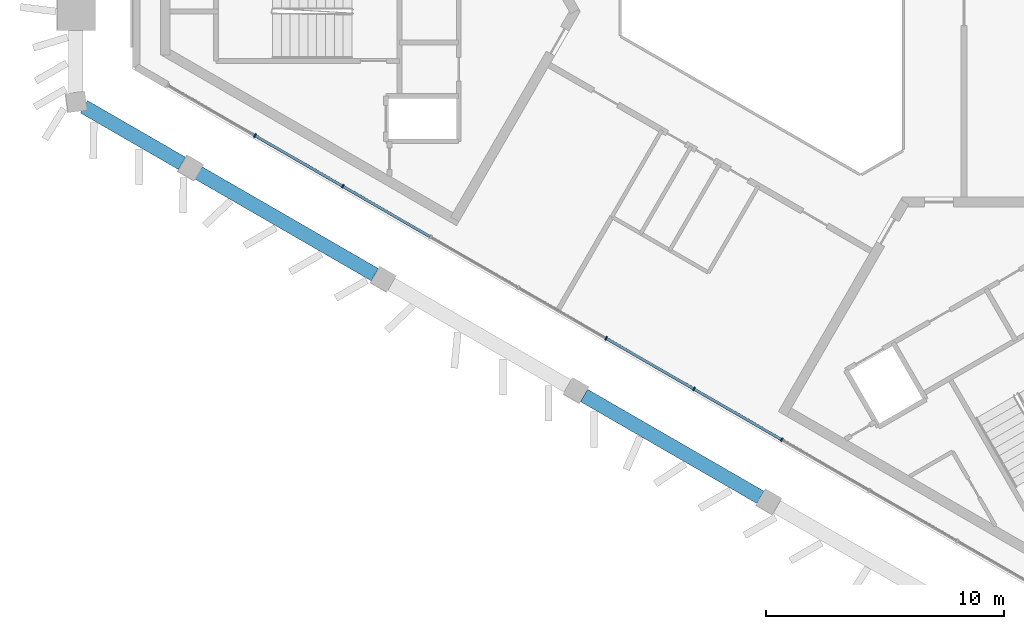
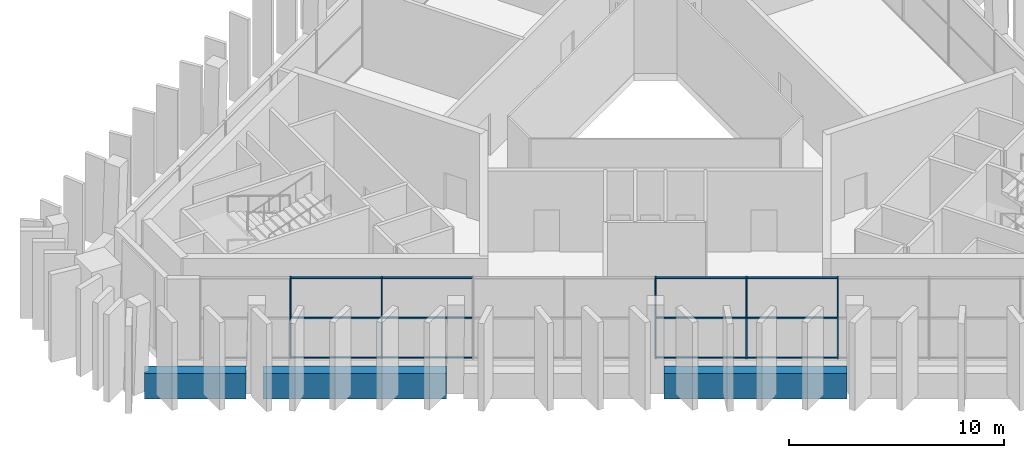
# One storey, part 2 of 13: 17 members, 3 beams, 1 element without a shape of its own.
"""IFC4 building model written with IfcOpenShell, lengths in metres."""

import ifcopenshell
import ifcopenshell.guid

model = None  # the IFC model being written
_history = None  # IfcOwnerHistory: only IFC2X3 demands one
_inside = {}  # id of a spatial element -> (the spatial element, [elements in it])
_under = {}  # id of a project, library or spatial element -> (it, [spatial elements below it])
_declared = {}  # id of a project -> (the project, [libraries it declares])
_typed = {}  # id of a type object -> (the type object, [elements of that type])
_made_of = {}  # id of a material, layer set ... -> (it, [elements and type objects made of it])


def new_model(schema):
    """Start an empty IFC model of exactly this schema.

    Asked for "IFC4X3", IfcOpenShell would pick the latest addendum, in which some entities
    have other attributes; the version numbers below select the first issue.
    IFC2X3 requires an IfcOwnerHistory on every rooted entity: one is made here for all.
    """
    global model, _history
    if schema == "IFC4X3":
        model = ifcopenshell.file(schema_version=(4, 3, 0, 0))
    else:
        model = ifcopenshell.file(schema=schema)
    _inside.clear()
    _under.clear()
    _declared.clear()
    _typed.clear()
    _made_of.clear()
    _history = None
    if model.schema == "IFC2X3":
        org = make("IfcOrganization", Name="unknown")
        user = make(
            "IfcPersonAndOrganization",
            ThePerson=make("IfcPerson", FamilyName="unknown"),
            TheOrganization=org,
        )
        app = make(
            "IfcApplication",
            ApplicationDeveloper=org,
            Version="unknown",
            ApplicationFullName="unknown",
            ApplicationIdentifier="unknown",
        )
        _history = make(
            "IfcOwnerHistory",
            OwningUser=user,
            OwningApplication=app,
            ChangeAction="ADDED",
            CreationDate=0,
        )
    return model


def make(cls, **values):
    """One entity of the class cls with the attributes given. An attribute that is None is left unset."""
    return model.create_entity(
        cls, **{name: value for name, value in values.items() if value is not None}
    )


def rooted(cls, **values):
    """An entity with a GlobalId (a new one), such as an element, a storey or a relation."""
    return make(cls, GlobalId=ifcopenshell.guid.new(), OwnerHistory=_history, **values)


def si_unit(unit_type, name, prefix=None):
    """IfcSIUnit, for example si_unit("LENGTHUNIT", "METRE", prefix="MILLI")."""
    return make("IfcSIUnit", UnitType=unit_type, Prefix=prefix, Name=name)


def assignment(units):
    """IfcUnitAssignment: the units of a project."""
    return None if units is None else make("IfcUnitAssignment", Units=units)


def point(xyz):
    """IfcCartesianPoint."""
    return None if xyz is None else make("IfcCartesianPoint", Coordinates=xyz)


def direction(xyz):
    """IfcDirection."""
    return None if xyz is None else make("IfcDirection", DirectionRatios=xyz)


def frame(location, z_axis=None, x_axis=None):
    """IfcAxis2Placement3D, a coordinate frame: its origin and axes. An axis left out is left unset."""
    return make(
        "IfcAxis2Placement3D",
        Location=point(location),
        Axis=direction(z_axis),
        RefDirection=direction(x_axis),
    )


def frame_2d(location, x_axis=None):
    """IfcAxis2Placement2D, a coordinate frame in the plane: its origin and x axis."""
    return make(
        "IfcAxis2Placement2D", Location=point(location), RefDirection=direction(x_axis)
    )


def origin():
    """The frame at (0, 0, 0) with its axes left unset."""
    return frame((0.0, 0.0, 0.0))


def origin_2d():
    """The frame at (0, 0) in the plane with its x axis left unset."""
    return frame_2d((0.0, 0.0))


def place(relative_to, where):
    """IfcLocalPlacement: puts the frame where relative to a parent placement (None: the world)."""
    return make(
        "IfcLocalPlacement", PlacementRelTo=relative_to, RelativePlacement=where
    )


def context(
    kind, dimensions, precision=None, world=None, true_north=None, identifier=None
):
    """IfcGeometricRepresentationContext, for example the 3D "Model" context."""
    return make(
        "IfcGeometricRepresentationContext",
        ContextIdentifier=identifier,
        ContextType=kind,
        CoordinateSpaceDimension=dimensions,
        Precision=precision,
        WorldCoordinateSystem=world,
        TrueNorth=true_north,
    )


def subcontext(parent, identifier, kind, view, scale=None):
    """IfcGeometricRepresentationSubContext, for example "Body" below "Model"."""
    return make(
        "IfcGeometricRepresentationSubContext",
        ContextIdentifier=identifier,
        ContextType=kind,
        ParentContext=parent,
        TargetScale=scale,
        TargetView=view,
    )


def project(units=None, contexts=None):
    """IfcProject with its units and contexts."""
    return rooted(
        "IfcProject",
        Name="project",
        RepresentationContexts=contexts,
        UnitsInContext=assignment(units),
    )


def spatial(cls, under=None, at=None, **own):
    """A site, building, storey or space (cls), placed at a placement, below another one or the project."""
    s = rooted(cls, ObjectPlacement=at, **own)
    if under is not None:
        _under.setdefault(under.id(), (under, []))[1].append(s)
    return s


def profile(cls, at=None, kind="AREA", **sizes):
    """A parametric profile (cls). Its sizes go by their IFC names, for example OverallWidth=200.0."""
    return make(cls, ProfileType=kind, Position=at, **sizes)


def rectangle(**sizes):
    """IfcRectangleProfileDef."""
    return profile("IfcRectangleProfileDef", **sizes)


def extrude(swept, where, along, depth):
    """IfcExtrudedAreaSolid: the profile swept, set in the frame where, extruded along a direction by depth."""
    return make(
        "IfcExtrudedAreaSolid",
        SweptArea=swept,
        Position=where,
        ExtrudedDirection=direction(along),
        Depth=depth,
    )


def shape(context_of_items, identifier, shape_type, items):
    """IfcShapeRepresentation: the items that make up one representation, for example the "Body"."""
    return make(
        "IfcShapeRepresentation",
        ContextOfItems=context_of_items,
        RepresentationIdentifier=identifier,
        RepresentationType=shape_type,
        Items=items,
    )


def material(Name=None, Category=None):
    """IfcMaterial."""
    return make("IfcMaterial", Name=Name, Category=Category)


def layer(
    of_material, thickness, ventilated=None, Name=None, Category=None, Priority=None
):
    """IfcMaterialLayer: one layer of a wall or slab, of a material (None: an air gap)."""
    return make(
        "IfcMaterialLayer",
        Material=of_material,
        LayerThickness=thickness,
        IsVentilated=ventilated,
        Name=Name,
        Category=Category,
        Priority=Priority,
    )


def layer_set(layers, Name=None):
    """IfcMaterialLayerSet."""
    return make("IfcMaterialLayerSet", MaterialLayers=layers, LayerSetName=Name)


def material_profile(
    of_material, cross_section, Name=None, Category=None, Priority=None
):
    """IfcMaterialProfile: a cross section and its material."""
    return make(
        "IfcMaterialProfile",
        Name=Name,
        Material=of_material,
        Profile=cross_section,
        Priority=Priority,
        Category=Category,
    )


def profile_set(profiles, Name=None, composite=None):
    """IfcMaterialProfileSet."""
    return make(
        "IfcMaterialProfileSet",
        Name=Name,
        MaterialProfiles=profiles,
        CompositeProfile=composite,
    )


def made_of(thing, what):
    """Note that an element or type object is made of a material, layer set ...; save() writes the relation."""
    if what is not None:
        _made_of.setdefault(what.id(), (what, []))[1].append(thing)
    return thing


def type_object(cls, material=None, **own):
    """A type object (cls), such as IfcWallType, which elements share."""
    return made_of(rooted(cls, **own), material)


def element(
    cls,
    number,
    at=None,
    inside=None,
    cuts=None,
    type_object=None,
    material=None,
    context=None,
    identifier="Body",
    shape_type=None,
    held_by="IfcProductDefinitionShape",
    body=None,
    shapes=None,
    **own,
):
    """One element of the class cls, such as IfcWall. Its Tag is "e" and its number.

    at: its placement. inside: the storey or other place that contains it. cuts: it is an
    opening in that element (IfcRelVoidsElement). A single representation is given by context,
    identifier, shape_type and body (its items); several are given by shapes. held_by: the class
    of the entity that holds the representations. save() writes the other relations.
    """
    e = rooted(cls, Tag="e%d" % number, ObjectPlacement=at, **own)
    if body is not None:
        shapes = [shape(context, identifier, shape_type, body)]
    if shapes is not None:
        e.Representation = make(held_by, Representations=shapes)
    if inside is not None:
        _inside.setdefault(inside.id(), (inside, []))[1].append(e)
    if cuts is not None:
        rooted(
            "IfcRelVoidsElement", RelatingBuildingElement=cuts, RelatedOpeningElement=e
        )
    if type_object is not None:
        _typed.setdefault(type_object.id(), (type_object, []))[1].append(e)
    return made_of(e, material)


def aggregate(whole, parts):
    """IfcRelAggregates: a whole, such as a stair, and the parts it consists of."""
    return rooted("IfcRelAggregates", RelatingObject=whole, RelatedObjects=parts)


def save(model, path):
    """Write the relations noted so far, then the file.

    IfcRelAggregates (storeys below a building ...), IfcRelContainedInSpatialStructure (elements
    in a storey), IfcRelDefinesByType, IfcRelAssociatesMaterial and IfcRelDeclares: one each for
    every whole, place, type object, material and project.
    """
    for whole, parts in _under.values():
        aggregate(whole, parts)
    for where, things in _inside.values():
        rooted(
            "IfcRelContainedInSpatialStructure",
            RelatedElements=things,
            RelatingStructure=where,
        )
    for kind, things in _typed.values():
        rooted("IfcRelDefinesByType", RelatedObjects=things, RelatingType=kind)
    for what, things in _made_of.values():
        rooted("IfcRelAssociatesMaterial", RelatedObjects=things, RelatingMaterial=what)
    for by, libraries in _declared.values():
        rooted("IfcRelDeclares", RelatingContext=by, RelatedDefinitions=libraries)
    model.write(path)


model = new_model("IFC4")

# Units and contexts
model_context = context("Model", 3, precision=1e-05, world=origin(), true_north=direction((0.0, 1.0)))
body_context = subcontext(model_context, "Body", "Model", "MODEL_VIEW")
ifc_project = project(units=[si_unit("LENGTHUNIT", "METRE"), si_unit("AREAUNIT", "SQUARE_METRE"), si_unit("VOLUMEUNIT", "CUBIC_METRE"), si_unit("PLANEANGLEUNIT", "RADIAN"), si_unit("MASSUNIT", "GRAM", prefix="KILO")], contexts=[model_context])

# Site, building, storey
site_placement = place(None, origin())
site = spatial("IfcSite", under=ifc_project, at=site_placement, CompositionType="ELEMENT")
building_placement = place(site_placement, origin())
building = spatial("IfcBuilding", under=site, at=building_placement, Name="Jabali Bay Hotel Tower and Convention Centre", CompositionType="ELEMENT")
storey_placement = place(building_placement, frame((0.0, 0.0, 310.800048828125)))
storey = spatial("IfcBuildingStorey", under=building, at=storey_placement, Name="L76", CompositionType="ELEMENT", Elevation=310.800048828125)

# Curtain wall, members
ifc_material_1 = material(Name="Aluminium and glass", Category="aluminium")
ifc_layer = layer(ifc_material_1, 0.159912109375)
ifc_layer_set = layer_set([ifc_layer], Name="Aluminium and glass")
curtain_wall_type = type_object("IfcCurtainWallType", Name="CW3 curtain wall", PredefinedType="NOTDEFINED", material=ifc_layer_set)
curtain_wall_placement = place(storey_placement, origin())
curtain_wall = element("IfcCurtainWall", 1, at=curtain_wall_placement, inside=storey, type_object=curtain_wall_type, Name="CW3 curtain wall south-west face L76", PredefinedType="NOTDEFINED")
ifc_material_2 = material(Name="Aluminium", Category="aluminium")
ifc_material_profile_1 = material_profile(ifc_material_2, rectangle(XDim=0.159912109375, YDim=0.06005859375, at=origin_2d()), Name="CW3 mullion 60 x 160")
ifc_profile_set_1 = profile_set([ifc_material_profile_1], Name="Aluminium")
member_type_1 = type_object("IfcMemberType", Name="CW3 mullion 60 x 160", PredefinedType="MULLION", material=ifc_profile_set_1)
member_1_placement = place(storey_placement, frame((74.450439453125, 62.037353515625, 0.0), z_axis=(0.0, 0.0, 1.0), x_axis=(-0.5, -0.866025403784, 0.0)))
member_1 = element("IfcMember", 2, at=member_1_placement, type_object=member_type_1, Name="CW3 mullion 4", PredefinedType="MULLION", context=body_context, shape_type="SweptSolid", body=[
    extrude(rectangle(XDim=0.159912109375, YDim=0.06005859375, at=origin_2d()), origin(), (0.0, 0.0, 1.0), 4.599853515625),
])
member_2_placement = place(storey_placement, frame((70.767578125, 64.16357421875, 0.0), z_axis=(0.0, 0.0, 1.0), x_axis=(-0.5, -0.866025403784, 0.0)))
member_2 = element("IfcMember", 3, at=member_2_placement, type_object=member_type_1, Name="CW3 mullion 5", PredefinedType="MULLION", context=body_context, shape_type="SweptSolid", body=[
    extrude(rectangle(XDim=0.159912109375, YDim=0.06005859375, at=origin_2d()), origin(), (0.0, 0.0, 1.0), 4.599853515625),
])
member_3_placement = place(storey_placement, frame((67.08447265625, 66.2900390625, 0.0), z_axis=(0.0, 0.0, 1.0), x_axis=(-0.5, -0.866025403784, 0.0)))
member_3 = element("IfcMember", 4, at=member_3_placement, type_object=member_type_1, Name="CW3 mullion 6", PredefinedType="MULLION", context=body_context, shape_type="SweptSolid", body=[
    extrude(rectangle(XDim=0.159912109375, YDim=0.06005859375, at=origin_2d()), origin(), (0.0, 0.0, 1.0), 4.599853515625),
])
member_4_placement = place(storey_placement, frame((56.03564453125, 72.6689453125, 0.0), z_axis=(0.0, 0.0, 1.0), x_axis=(-0.5, -0.866025403784, 0.0)))
member_4 = element("IfcMember", 5, at=member_4_placement, type_object=member_type_1, Name="CW3 mullion 9", PredefinedType="MULLION", context=body_context, shape_type="SweptSolid", body=[
    extrude(rectangle(XDim=0.159912109375, YDim=0.06005859375, at=origin_2d()), origin(), (0.0, 0.0, 1.0), 4.599853515625),
])
member_5_placement = place(storey_placement, frame((52.352783203125, 74.79541015625, 0.0), z_axis=(0.0, 0.0, 1.0), x_axis=(-0.5, -0.866025403784, 0.0)))
member_5 = element("IfcMember", 6, at=member_5_placement, type_object=member_type_1, Name="CW3 mullion 10", PredefinedType="MULLION", context=body_context, shape_type="SweptSolid", body=[
    extrude(rectangle(XDim=0.159912109375, YDim=0.06005859375, at=origin_2d()), origin(), (0.0, 0.0, 1.0), 4.599853515625),
])
ifc_material_profile_2 = material_profile(ifc_material_2, rectangle(XDim=0.1201171875, YDim=0.06005859375, at=origin_2d()), Name="CW3 transom 60 x 120")
ifc_profile_set_2 = profile_set([ifc_material_profile_2], Name="Aluminium")
member_type_2 = type_object("IfcMemberType", Name="CW3 transom 60 x 120", PredefinedType="USERDEFINED", material=ifc_profile_set_2)
member_6_placement = place(storey_placement, frame((74.42431640625, 62.05224609375, 0.030029296875), z_axis=(-0.866009094545, 0.500028247368, 0.0), x_axis=(-0.500028247368, -0.866009094545, 0.0)))
member_6 = element("IfcMember", 7, at=member_6_placement, type_object=member_type_2, Name="CW3 transom 4.1", ObjectType="TRANSOM", PredefinedType="USERDEFINED", context=body_context, shape_type="SweptSolid", body=[
    extrude(rectangle(XDim=0.1201171875, YDim=0.06005859375, at=origin_2d()), origin(), (0.0, 0.0, 1.0), 4.192626953125),
])
member_7_placement = place(storey_placement, frame((74.42431640625, 62.05224609375, 2.300048828125), z_axis=(-0.866009094545, 0.500028247368, 0.0), x_axis=(-0.500028247368, -0.866009094545, 0.0)))
member_7 = element("IfcMember", 8, at=member_7_placement, type_object=member_type_2, Name="CW3 transom 4.2", ObjectType="TRANSOM", PredefinedType="USERDEFINED", context=body_context, shape_type="SweptSolid", body=[
    extrude(rectangle(XDim=0.1201171875, YDim=0.06005859375, at=origin_2d()), origin(), (0.0, 0.0, 1.0), 4.192626953125),
])
member_8_placement = place(storey_placement, frame((74.42431640625, 62.05224609375, 4.570068359375), z_axis=(-0.866009094545, 0.500028247368, 0.0), x_axis=(-0.500028247368, -0.866009094545, 0.0)))
member_8 = element("IfcMember", 9, at=member_8_placement, type_object=member_type_2, Name="CW3 transom 4.3", ObjectType="TRANSOM", PredefinedType="USERDEFINED", context=body_context, shape_type="SweptSolid", body=[
    extrude(rectangle(XDim=0.1201171875, YDim=0.06005859375, at=origin_2d()), origin(), (0.0, 0.0, 1.0), 4.192626953125),
])
member_9_placement = place(storey_placement, frame((70.741455078125, 64.1787109375, 0.030029296875), z_axis=(-0.866034309822, 0.499984573973, 0.0), x_axis=(-0.499984573973, -0.866034309822, 0.0)))
member_9 = element("IfcMember", 10, at=member_9_placement, type_object=member_type_2, Name="CW3 transom 5.1", ObjectType="TRANSOM", PredefinedType="USERDEFINED", context=body_context, shape_type="SweptSolid", body=[
    extrude(rectangle(XDim=0.1201171875, YDim=0.06005859375, at=origin_2d()), origin(), (0.0, 0.0, 1.0), 4.192626953125),
])
member_10_placement = place(storey_placement, frame((70.741455078125, 64.1787109375, 2.300048828125), z_axis=(-0.866034309822, 0.499984573973, 0.0), x_axis=(-0.499984573973, -0.866034309822, 0.0)))
member_10 = element("IfcMember", 11, at=member_10_placement, type_object=member_type_2, Name="CW3 transom 5.2", ObjectType="TRANSOM", PredefinedType="USERDEFINED", context=body_context, shape_type="SweptSolid", body=[
    extrude(rectangle(XDim=0.1201171875, YDim=0.06005859375, at=origin_2d()), origin(), (0.0, 0.0, 1.0), 4.192626953125),
])
member_11_placement = place(storey_placement, frame((70.741455078125, 64.1787109375, 4.570068359375), z_axis=(-0.866034309822, 0.499984573973, 0.0), x_axis=(-0.499984573973, -0.866034309822, 0.0)))
member_11 = element("IfcMember", 12, at=member_11_placement, type_object=member_type_2, Name="CW3 transom 5.3", ObjectType="TRANSOM", PredefinedType="USERDEFINED", context=body_context, shape_type="SweptSolid", body=[
    extrude(rectangle(XDim=0.1201171875, YDim=0.06005859375, at=origin_2d()), origin(), (0.0, 0.0, 1.0), 4.192626953125),
])
member_12_placement = place(storey_placement, frame((59.692626953125, 70.5576171875, 0.030029296875), z_axis=(-0.866009094545, 0.500028247368, 0.0), x_axis=(-0.500028247368, -0.866009094545, 0.0)))
member_12 = element("IfcMember", 13, at=member_12_placement, type_object=member_type_2, Name="CW3 transom 8.1", ObjectType="TRANSOM", PredefinedType="USERDEFINED", context=body_context, shape_type="SweptSolid", body=[
    extrude(rectangle(XDim=0.1201171875, YDim=0.06005859375, at=origin_2d()), origin(), (0.0, 0.0, 1.0), 4.192626953125),
])
member_13_placement = place(storey_placement, frame((59.692626953125, 70.5576171875, 2.300048828125), z_axis=(-0.866009094545, 0.500028247368, 0.0), x_axis=(-0.500028247368, -0.866009094545, 0.0)))
member_13 = element("IfcMember", 14, at=member_13_placement, type_object=member_type_2, Name="CW3 transom 8.2", ObjectType="TRANSOM", PredefinedType="USERDEFINED", context=body_context, shape_type="SweptSolid", body=[
    extrude(rectangle(XDim=0.1201171875, YDim=0.06005859375, at=origin_2d()), origin(), (0.0, 0.0, 1.0), 4.192626953125),
])
member_14_placement = place(storey_placement, frame((59.692626953125, 70.5576171875, 4.570068359375), z_axis=(-0.866009094545, 0.500028247368, 0.0), x_axis=(-0.500028247368, -0.866009094545, 0.0)))
member_14 = element("IfcMember", 15, at=member_14_placement, type_object=member_type_2, Name="CW3 transom 8.3", ObjectType="TRANSOM", PredefinedType="USERDEFINED", context=body_context, shape_type="SweptSolid", body=[
    extrude(rectangle(XDim=0.1201171875, YDim=0.06005859375, at=origin_2d()), origin(), (0.0, 0.0, 1.0), 4.192626953125),
])
member_15_placement = place(storey_placement, frame((56.009765625, 72.68408203125, 0.030029296875), z_axis=(-0.866048865957, 0.499959360123, 0.0), x_axis=(-0.499959360123, -0.866048865957, 0.0)))
member_15 = element("IfcMember", 16, at=member_15_placement, type_object=member_type_2, Name="CW3 transom 9.1", ObjectType="TRANSOM", PredefinedType="USERDEFINED", context=body_context, shape_type="SweptSolid", body=[
    extrude(rectangle(XDim=0.1201171875, YDim=0.06005859375, at=origin_2d()), origin(), (0.0, 0.0, 1.0), 4.192626953125),
])
member_16_placement = place(storey_placement, frame((56.009765625, 72.68408203125, 2.300048828125), z_axis=(-0.866048865957, 0.499959360123, 0.0), x_axis=(-0.499959360123, -0.866048865957, 0.0)))
member_16 = element("IfcMember", 17, at=member_16_placement, type_object=member_type_2, Name="CW3 transom 9.2", ObjectType="TRANSOM", PredefinedType="USERDEFINED", context=body_context, shape_type="SweptSolid", body=[
    extrude(rectangle(XDim=0.1201171875, YDim=0.06005859375, at=origin_2d()), origin(), (0.0, 0.0, 1.0), 4.192626953125),
])
member_17_placement = place(storey_placement, frame((56.009765625, 72.68408203125, 4.570068359375), z_axis=(-0.866048865957, 0.499959360123, 0.0), x_axis=(-0.499959360123, -0.866048865957, 0.0)))
member_17 = element("IfcMember", 18, at=member_17_placement, type_object=member_type_2, Name="CW3 transom 9.3", ObjectType="TRANSOM", PredefinedType="USERDEFINED", context=body_context, shape_type="SweptSolid", body=[
    extrude(rectangle(XDim=0.1201171875, YDim=0.06005859375, at=origin_2d()), origin(), (0.0, 0.0, 1.0), 4.192626953125),
])
aggregate(curtain_wall, [member_1, member_2, member_3, member_4, member_5, member_6, member_7, member_8, member_9, member_10, member_11, member_12, member_13, member_14, member_15, member_16, member_17])

# Beams
ifc_material_3 = material(Name="Concrete C60", Category="concrete")
ifc_material_profile_3 = material_profile(ifc_material_3, rectangle(XDim=0.60009765625, YDim=1.449951171875, at=origin_2d()), Name="Spandrel 600x1450")
ifc_profile_set_3 = profile_set([ifc_material_profile_3], Name="Concrete C60")
beam_type = type_object("IfcBeamType", Name="Spandrel 600x1450", PredefinedType="SPANDREL", material=ifc_profile_set_3)
beam_1_placement = place(storey_placement, frame((45.180419921875, 76.00048828125, 0.375), z_axis=(0.866038977738, -0.499976488486, 0.0), x_axis=(0.499976488486, 0.866038977738, 0.0)))
element("IfcBeam", 19, at=beam_1_placement, inside=storey, type_object=beam_type, Name="Spandrel V4-F2.1 L76", PredefinedType="SPANDREL", context=body_context, shape_type="SweptSolid", body=[
    extrude(rectangle(XDim=0.60009765625, YDim=1.449951171875, at=origin_2d()), origin(), (0.0, 0.0, 1.0), 4.741943359375),
])
beam_2_placement = place(storey_placement, frame((49.97998046875, 73.2294921875, 0.375), z_axis=(0.866032315796, -0.499988027854, 0.0), x_axis=(0.499988027854, 0.866032315796, 0.0)))
element("IfcBeam", 20, at=beam_2_placement, inside=storey, type_object=beam_type, Name="Spandrel F2.1-F2.2 L76", PredefinedType="SPANDREL", context=body_context, shape_type="SweptSolid", body=[
    extrude(rectangle(XDim=0.60009765625, YDim=1.449951171875, at=origin_2d()), origin(), (0.0, 0.0, 1.0), 8.541259765625),
])
beam_3_placement = place(storey_placement, frame((66.15966796875, 63.88818359375, 0.375), z_axis=(0.866027084608, -0.499997088717, 0.0), x_axis=(0.499997088717, 0.866027084608, 0.0)))
element("IfcBeam", 21, at=beam_3_placement, inside=storey, type_object=beam_type, Name="Spandrel F2.3-F2.4 L76", PredefinedType="SPANDREL", context=body_context, shape_type="SweptSolid", body=[
    extrude(rectangle(XDim=0.60009765625, YDim=1.449951171875, at=origin_2d()), origin(), (0.0, 0.0, 1.0), 8.54150390625),
])

save(model, "model.ifc")
